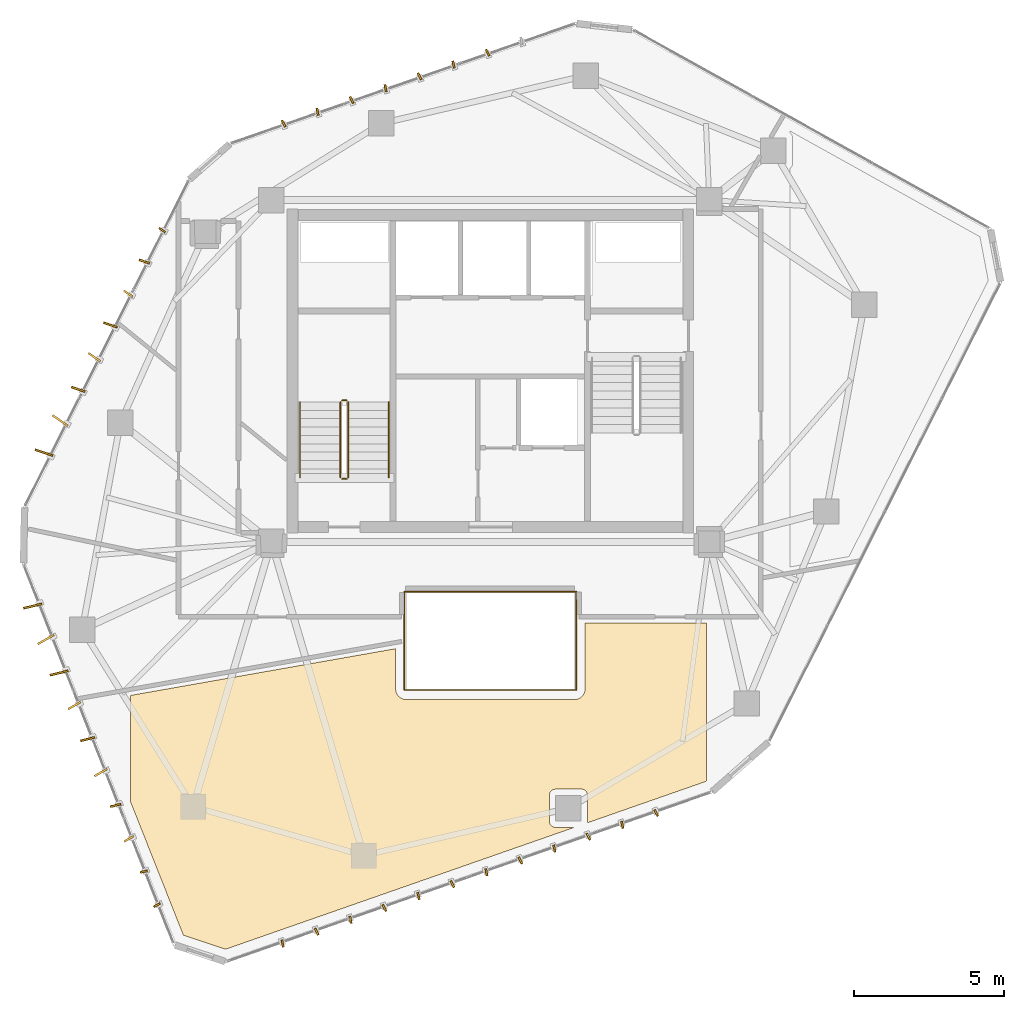
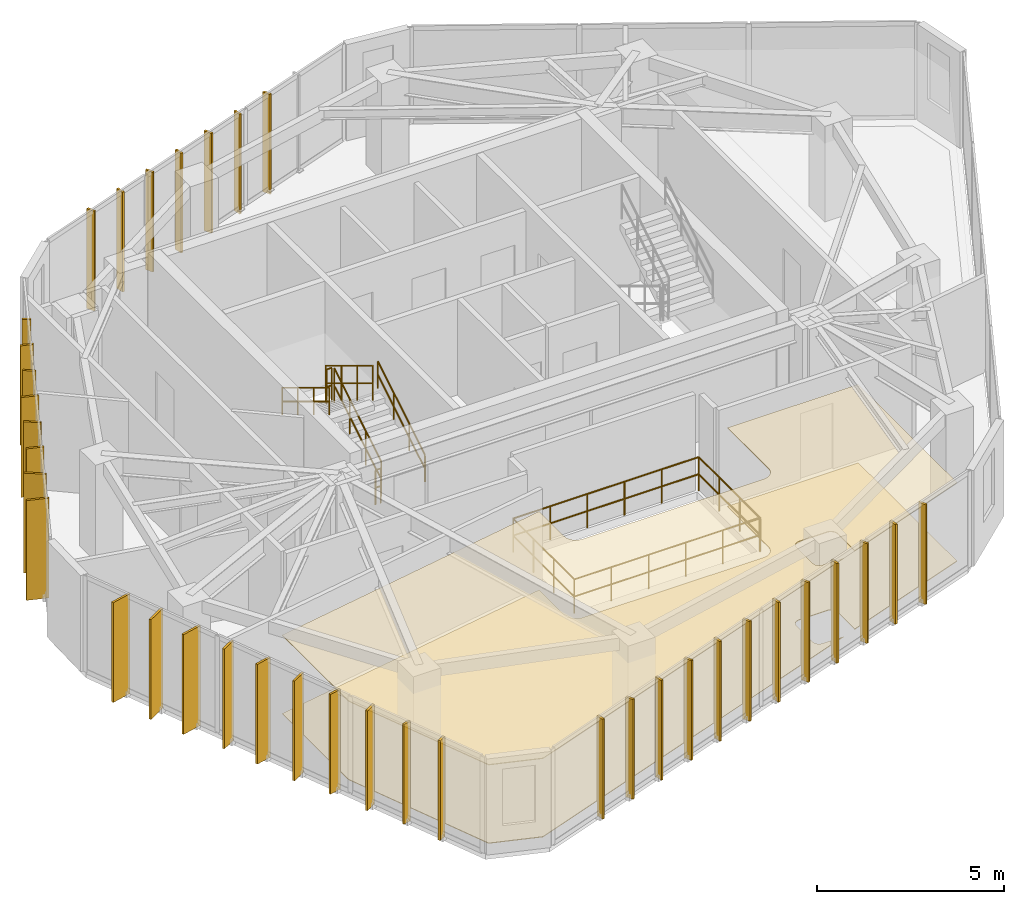
# One storey, part 19 of 20: 37 shading devices, 10 railings, 2 coverings.
"""IFC4 building model written with IfcOpenShell, lengths in metres."""

from ifc_helpers import new_model, si_unit, direction, frame, origin, origin_2d, place, context, subcontext, project, spatial, polyline, rectangle, circle, outline, extrude, source, transform, mapped, material, layer, layer_set, type_object, type_shapes, element, save


model = new_model("IFC4")

# Units and contexts
model_context = context("Model", 3, precision=1e-05, world=origin(), true_north=direction((0.0, 1.0)))
body_context = subcontext(model_context, "Body", "Model", "MODEL_VIEW")
ifc_project = project(units=[si_unit("LENGTHUNIT", "METRE"), si_unit("AREAUNIT", "SQUARE_METRE"), si_unit("VOLUMEUNIT", "CUBIC_METRE"), si_unit("PLANEANGLEUNIT", "RADIAN"), si_unit("MASSUNIT", "GRAM", prefix="KILO")], contexts=[model_context])

# Site, building, storey
site_placement = place(None, origin())
site = spatial("IfcSite", under=ifc_project, at=site_placement, CompositionType="ELEMENT")
building_placement = place(site_placement, origin())
building = spatial("IfcBuilding", under=site, at=building_placement, Name="Talar Marvaseh", CompositionType="ELEMENT")
storey_placement = place(building_placement, frame((0.0, 0.0, 285.0)))
storey = spatial("IfcBuildingStorey", under=building, at=storey_placement, Name="L76", CompositionType="ELEMENT", Elevation=285.0)

# Railings
ifc_material_1 = material(Name="Stainless Steel Grade 316", Category="steel")
railing_type_1 = type_object("IfcRailingType", Name="Brushed Stainless Wall Pitch Handrail 900", PredefinedType="HANDRAIL", material=ifc_material_1)
railing_1_placement = place(storey_placement, frame((22.610107421875, 27.64990234375, 0.169921875)))
element("IfcRailing", 1, at=railing_1_placement, inside=storey, type_object=railing_type_1, Name="L76 ST-1 stair handrail 1", PredefinedType="HANDRAIL", context=body_context, shape_type="SweptSolid", body=[
    extrude(circle(Radius=0.02392578125, at=origin_2d()), frame((0.0, 0.0, 0.8759765625), z_axis=(0.0, 0.85478489116, 0.518982456201), x_axis=(-1.0, 0.0, 0.0)), (0.0, 0.0, 1.0), 2.9482421875),
    extrude(circle(Radius=0.02392578125, at=origin_2d()), frame((0.0, 0.0, 0.42578125), z_axis=(0.0, 0.85478489116, 0.518982456201), x_axis=(-1.0, 0.0, 0.0)), (0.0, 0.0, 1.0), 2.9482421875),
    extrude(circle(Radius=0.02099609375, at=origin_2d()), origin(), (0.0, 0.0, 1.0), 0.851806640625),
    extrude(circle(Radius=0.02099609375, at=origin_2d()), frame((0.0, 0.840087890625, 0.510009765625)), (0.0, 0.0, 1.0), 0.851806640625),
    extrude(circle(Radius=0.02099609375, at=origin_2d()), frame((0.0, 1.679931640625, 1.02001953125)), (0.0, 0.0, 1.0), 0.851806640625),
    extrude(circle(Radius=0.02099609375, at=origin_2d()), frame((0.0, 2.52001953125, 1.530029296875)), (0.0, 0.0, 1.0), 0.851806640625),
])
railing_2_placement = place(storey_placement, frame((19.64990234375, 30.169921875, 1.8701171875)))
element("IfcRailing", 2, at=railing_2_placement, inside=storey, type_object=railing_type_1, Name="L76 ST-1 stair handrail 2", PredefinedType="HANDRAIL", context=body_context, shape_type="SweptSolid", body=[
    extrude(circle(Radius=0.02392578125, at=origin_2d()), frame((0.0, 0.0, 0.8759765625), z_axis=(0.0, -0.854821627497, 0.518921945155), x_axis=(1.0, 0.0, 0.0)), (0.0, 0.0, 1.0), 2.947998046875),
    extrude(circle(Radius=0.02392578125, at=origin_2d()), frame((0.0, 0.0, 0.42578125), z_axis=(0.0, -0.854821627497, 0.518921945155), x_axis=(1.0, 0.0, 0.0)), (0.0, 0.0, 1.0), 2.947998046875),
    extrude(circle(Radius=0.02099609375, at=origin_2d()), origin(), (0.0, 0.0, 1.0), 0.851806640625),
    extrude(circle(Radius=0.02099609375, at=origin_2d()), frame((0.0, -0.840087890625, 0.510009765625)), (0.0, 0.0, 1.0), 0.851806640625),
    extrude(circle(Radius=0.02099609375, at=origin_2d()), frame((0.0, -1.679931640625, 1.019775390625)), (0.0, 0.0, 1.0), 0.851806640625),
    extrude(circle(Radius=0.02099609375, at=origin_2d()), frame((0.0, -2.52001953125, 1.52978515625)), (0.0, 0.0, 1.0), 0.851806640625),
])
ifc_material_2 = material(Name="Tempered Clear Glass", Category="glass")
railing_type_2 = type_object("IfcRailingType", Name="Interior Atrium Edge Balustrade 1120", PredefinedType="BALUSTRADE", material=ifc_material_2)
railing_3_placement = place(storey_placement, frame((23.130615234375, 20.560302734375, 0.0)))
element("IfcRailing", 3, at=railing_3_placement, inside=storey, type_object=railing_type_2, Name="L76 Internal Daylight Atrium Balustrade 1", PredefinedType="BALUSTRADE", context=body_context, shape_type="SweptSolid", body=[
    extrude(circle(Radius=0.02392578125, at=origin_2d()), frame((0.0, 0.0, 1.09619140625), z_axis=(1.0, 0.0, 0.0), x_axis=(0.0, 1.0, 0.0)), (0.0, 0.0, 1.0), 5.73876953125),
    extrude(circle(Radius=0.02392578125, at=origin_2d()), frame((0.0, 0.0, 0.5361328125), z_axis=(1.0, 0.0, 0.0), x_axis=(0.0, 1.0, 0.0)), (0.0, 0.0, 1.0), 5.73876953125),
    extrude(circle(Radius=0.02099609375, at=origin_2d()), origin(), (0.0, 0.0, 1.0), 1.072021484375),
    extrude(circle(Radius=0.02099609375, at=origin_2d()), frame((1.147705078125, 0.0, 0.0)), (0.0, 0.0, 1.0), 1.072021484375),
    extrude(circle(Radius=0.02099609375, at=origin_2d()), frame((2.29541015625, 0.0, 0.0)), (0.0, 0.0, 1.0), 1.072021484375),
    extrude(circle(Radius=0.02099609375, at=origin_2d()), frame((3.443359375, 0.0, 0.0)), (0.0, 0.0, 1.0), 1.072021484375),
    extrude(circle(Radius=0.02099609375, at=origin_2d()), frame((4.591064453125, 0.0, 0.0)), (0.0, 0.0, 1.0), 1.072021484375),
    extrude(circle(Radius=0.02099609375, at=origin_2d()), frame((5.73876953125, 0.0, 0.0)), (0.0, 0.0, 1.0), 1.072021484375),
])
railing_4_placement = place(storey_placement, frame((28.869384765625, 20.560302734375, 0.0)))
element("IfcRailing", 4, at=railing_4_placement, inside=storey, type_object=railing_type_2, Name="L76 Internal Daylight Atrium Balustrade 2", PredefinedType="BALUSTRADE", context=body_context, shape_type="SweptSolid", body=[
    extrude(circle(Radius=0.02392578125, at=origin_2d()), frame((0.0, 0.0, 1.09619140625), z_axis=(0.0, 1.0, 0.0), x_axis=(-1.0, 0.0, 0.0)), (0.0, 0.0, 1.0), 3.279296875),
    extrude(circle(Radius=0.02392578125, at=origin_2d()), frame((0.0, 0.0, 0.5361328125), z_axis=(0.0, 1.0, 0.0), x_axis=(-1.0, 0.0, 0.0)), (0.0, 0.0, 1.0), 3.279296875),
    extrude(circle(Radius=0.02099609375, at=origin_2d()), origin(), (0.0, 0.0, 1.0), 1.072021484375),
    extrude(circle(Radius=0.02099609375, at=origin_2d()), frame((0.0, 1.093017578125, 0.0)), (0.0, 0.0, 1.0), 1.072021484375),
    extrude(circle(Radius=0.02099609375, at=origin_2d()), frame((0.0, 2.186279296875, 0.0)), (0.0, 0.0, 1.0), 1.072021484375),
    extrude(circle(Radius=0.02099609375, at=origin_2d()), frame((0.0, 3.279296875, 0.0)), (0.0, 0.0, 1.0), 1.072021484375),
])
railing_5_placement = place(storey_placement, frame((28.869384765625, 23.839599609375, 0.0)))
element("IfcRailing", 5, at=railing_5_placement, inside=storey, type_object=railing_type_2, Name="L76 Internal Daylight Atrium Balustrade 3", PredefinedType="BALUSTRADE", context=body_context, shape_type="SweptSolid", body=[
    extrude(circle(Radius=0.02392578125, at=origin_2d()), frame((0.0, 0.0, 1.09619140625), z_axis=(-1.0, 0.0, 0.0), x_axis=(0.0, -1.0, 0.0)), (0.0, 0.0, 1.0), 5.73876953125),
    extrude(circle(Radius=0.02392578125, at=origin_2d()), frame((0.0, 0.0, 0.5361328125), z_axis=(-1.0, 0.0, 0.0), x_axis=(0.0, -1.0, 0.0)), (0.0, 0.0, 1.0), 5.73876953125),
    extrude(circle(Radius=0.02099609375, at=origin_2d()), origin(), (0.0, 0.0, 1.0), 1.072021484375),
    extrude(circle(Radius=0.02099609375, at=origin_2d()), frame((-1.147705078125, 0.0, 0.0)), (0.0, 0.0, 1.0), 1.072021484375),
    extrude(circle(Radius=0.02099609375, at=origin_2d()), frame((-2.29541015625, 0.0, 0.0)), (0.0, 0.0, 1.0), 1.072021484375),
    extrude(circle(Radius=0.02099609375, at=origin_2d()), frame((-3.443359375, 0.0, 0.0)), (0.0, 0.0, 1.0), 1.072021484375),
    extrude(circle(Radius=0.02099609375, at=origin_2d()), frame((-4.591064453125, 0.0, 0.0)), (0.0, 0.0, 1.0), 1.072021484375),
    extrude(circle(Radius=0.02099609375, at=origin_2d()), frame((-5.73876953125, 0.0, 0.0)), (0.0, 0.0, 1.0), 1.072021484375),
])
railing_6_placement = place(storey_placement, frame((23.130615234375, 23.839599609375, 0.0)))
element("IfcRailing", 6, at=railing_6_placement, inside=storey, type_object=railing_type_2, Name="L76 Internal Daylight Atrium Balustrade 4", PredefinedType="BALUSTRADE", context=body_context, shape_type="SweptSolid", body=[
    extrude(circle(Radius=0.02392578125, at=origin_2d()), frame((0.0, 0.0, 1.09619140625), z_axis=(0.0, -1.0, 0.0), x_axis=(1.0, 0.0, 0.0)), (0.0, 0.0, 1.0), 3.279296875),
    extrude(circle(Radius=0.02392578125, at=origin_2d()), frame((0.0, 0.0, 0.5361328125), z_axis=(0.0, -1.0, 0.0), x_axis=(1.0, 0.0, 0.0)), (0.0, 0.0, 1.0), 3.279296875),
    extrude(circle(Radius=0.02099609375, at=origin_2d()), origin(), (0.0, 0.0, 1.0), 1.072021484375),
    extrude(circle(Radius=0.02099609375, at=origin_2d()), frame((0.0, -1.093017578125, 0.0)), (0.0, 0.0, 1.0), 1.072021484375),
    extrude(circle(Radius=0.02099609375, at=origin_2d()), frame((0.0, -2.186279296875, 0.0)), (0.0, 0.0, 1.0), 1.072021484375),
    extrude(circle(Radius=0.02099609375, at=origin_2d()), frame((0.0, -3.279296875, 0.0)), (0.0, 0.0, 1.0), 1.072021484375),
])
railing_type_3 = type_object("IfcRailingType", Name="Painted Steel Core Stair Well Guardrail 1150", PredefinedType="GUARDRAIL", material=ifc_material_1)
railing_7_placement = place(storey_placement, frame((21.260009765625, 27.64990234375, 0.169921875)))
element("IfcRailing", 7, at=railing_7_placement, inside=storey, type_object=railing_type_3, Name="L76 ST-1 stair guard 1", PredefinedType="GUARDRAIL", context=body_context, shape_type="SweptSolid", body=[
    extrude(circle(Radius=0.02392578125, at=origin_2d()), frame((0.0, 0.0, 1.1259765625), z_axis=(0.0, 0.85478489116, 0.518982456201), x_axis=(-1.0, 0.0, 0.0)), (0.0, 0.0, 1.0), 2.9482421875),
    extrude(circle(Radius=0.02392578125, at=origin_2d()), frame((0.0, 0.0, 0.55078125), z_axis=(0.0, 0.85478489116, 0.518982456201), x_axis=(-1.0, 0.0, 0.0)), (0.0, 0.0, 1.0), 2.9482421875),
    extrude(circle(Radius=0.02099609375, at=origin_2d()), origin(), (0.0, 0.0, 1.0), 1.101806640625),
    extrude(circle(Radius=0.02099609375, at=origin_2d()), frame((0.0, 0.840087890625, 0.510009765625)), (0.0, 0.0, 1.0), 1.101806640625),
    extrude(circle(Radius=0.02099609375, at=origin_2d()), frame((0.0, 1.679931640625, 1.02001953125)), (0.0, 0.0, 1.0), 1.101806640625),
    extrude(circle(Radius=0.02099609375, at=origin_2d()), frame((0.0, 2.52001953125, 1.530029296875)), (0.0, 0.0, 1.0), 1.101806640625),
])
railing_8_placement = place(storey_placement, frame((21.2099609375, 30.219970703125, 1.699951171875)))
element("IfcRailing", 8, at=railing_8_placement, inside=storey, type_object=railing_type_3, Name="L76 ST-1 stair guard 2", PredefinedType="GUARDRAIL", context=body_context, shape_type="SweptSolid", body=[
    extrude(circle(Radius=0.02392578125, at=origin_2d()), frame((0.0, 0.0, 1.1259765625), z_axis=(-1.0, 0.0, 0.0), x_axis=(0.0, -1.0, 0.0)), (0.0, 0.0, 1.0), 0.159912109375),
    extrude(circle(Radius=0.02392578125, at=origin_2d()), frame((0.0, 0.0, 0.55078125), z_axis=(-1.0, 0.0, 0.0), x_axis=(0.0, -1.0, 0.0)), (0.0, 0.0, 1.0), 0.159912109375),
    extrude(circle(Radius=0.02099609375, at=origin_2d()), origin(), (0.0, 0.0, 1.0), 1.101806640625),
    extrude(circle(Radius=0.02099609375, at=origin_2d()), frame((-0.159912109375, 0.0, 0.0)), (0.0, 0.0, 1.0), 1.101806640625),
])
railing_9_placement = place(storey_placement, frame((21.0, 30.169921875, 1.8701171875)))
element("IfcRailing", 9, at=railing_9_placement, inside=storey, type_object=railing_type_3, Name="L76 ST-1 stair guard 3", PredefinedType="GUARDRAIL", context=body_context, shape_type="SweptSolid", body=[
    extrude(circle(Radius=0.02392578125, at=origin_2d()), frame((0.0, 0.0, 1.1259765625), z_axis=(0.0, -0.854821627497, 0.518921945155), x_axis=(1.0, 0.0, 0.0)), (0.0, 0.0, 1.0), 2.947998046875),
    extrude(circle(Radius=0.02392578125, at=origin_2d()), frame((0.0, 0.0, 0.55078125), z_axis=(0.0, -0.854821627497, 0.518921945155), x_axis=(1.0, 0.0, 0.0)), (0.0, 0.0, 1.0), 2.947998046875),
    extrude(circle(Radius=0.02099609375, at=origin_2d()), origin(), (0.0, 0.0, 1.0), 1.101806640625),
    extrude(circle(Radius=0.02099609375, at=origin_2d()), frame((0.0, -0.840087890625, 0.510009765625)), (0.0, 0.0, 1.0), 1.101806640625),
    extrude(circle(Radius=0.02099609375, at=origin_2d()), frame((0.0, -1.679931640625, 1.019775390625)), (0.0, 0.0, 1.0), 1.101806640625),
    extrude(circle(Radius=0.02099609375, at=origin_2d()), frame((0.0, -2.52001953125, 1.52978515625)), (0.0, 0.0, 1.0), 1.101806640625),
])
railing_10_placement = place(storey_placement, frame((21.2099609375, 27.60009765625, 0.0)))
element("IfcRailing", 10, at=railing_10_placement, inside=storey, type_object=railing_type_3, Name="L76 ST-1 stair guard 4", PredefinedType="GUARDRAIL", context=body_context, shape_type="SweptSolid", body=[
    extrude(circle(Radius=0.02392578125, at=origin_2d()), frame((0.0, 0.0, 1.1259765625), z_axis=(-1.0, 0.0, 0.0), x_axis=(0.0, -1.0, 0.0)), (0.0, 0.0, 1.0), 0.159912109375),
    extrude(circle(Radius=0.02392578125, at=origin_2d()), frame((0.0, 0.0, 0.55078125), z_axis=(-1.0, 0.0, 0.0), x_axis=(0.0, -1.0, 0.0)), (0.0, 0.0, 1.0), 0.159912109375),
    extrude(circle(Radius=0.02099609375, at=origin_2d()), origin(), (0.0, 0.0, 1.0), 1.101806640625),
    extrude(circle(Radius=0.02099609375, at=origin_2d()), frame((-0.159912109375, 0.0, 0.0)), (0.0, 0.0, 1.0), 1.101806640625),
])

# Coverings
ifc_material_3 = material(Name="Mineral Fibre Acoustic Ceiling")
ifc_layer_1 = layer(ifc_material_3, 0.02490234375)
ifc_layer_set_1 = layer_set([ifc_layer_1], Name="Mineral Fibre Acoustic Ceiling")
covering_type_1 = type_object("IfcCoveringType", Name="Perforated Mineral Fibre Acoustic Suspended Ceiling", PredefinedType="CEILING", material=ifc_layer_set_1)
covering_1_placement = place(storey_placement, frame((0.0, 0.0, 2.56005859375)))
element("IfcCovering", 11, at=covering_1_placement, inside=storey, type_object=covering_type_1, Name="L76 Curatorial Staff Control Room Acoustic Ceiling", PredefinedType="CEILING", context=body_context, shape_type="SweptSolid", body=[
    extrude(outline(polyline([(22.840087890625, 20.60009765625), (22.840576171875, 20.585205078125), (22.84228515625, 20.570556640625), (22.84912109375, 20.524169921875), (22.852783203125, 20.5048828125), (22.858642578125, 20.486083984375), (22.8662109375, 20.468017578125), (22.87548828125, 20.45068359375), (22.915283203125, 20.384033203125), (22.92626953125, 20.36767578125), (22.938720703125, 20.3525390625), (22.95263671875, 20.338623046875), (22.9677734375, 20.326416015625), (22.98388671875, 20.3154296875), (23.05078125, 20.275390625), (23.068115234375, 20.26611328125), (23.086181640625, 20.258544921875), (23.10498046875, 20.2529296875), (23.124267578125, 20.2490234375), (23.170654296875, 20.2421875), (23.185302734375, 20.240478515625), (23.199951171875, 20.239990234375), (28.815673828125, 20.24072265625), (28.835205078125, 20.24169921875), (28.854736328125, 20.24462890625), (28.873779296875, 20.24951171875), (28.933349609375, 20.267578125), (28.9501953125, 20.2734375), (28.96630859375, 20.28076171875), (28.981689453125, 20.289306640625), (28.99609375, 20.29931640625), (29.009765625, 20.310791015625), (29.0673828125, 20.36279296875), (29.081298828125, 20.376708984375), (29.093505859375, 20.391845703125), (29.1044921875, 20.408203125), (29.11376953125, 20.425537109375), (29.121337890625, 20.443603515625), (29.1474609375, 20.516845703125), (29.154052734375, 20.538818359375), (29.157958984375, 20.561279296875), (29.1591796875, 20.584228515625), (29.159912109375, 22.800048828125), (33.199951171875, 22.800048828125), (33.199951171875, 17.52490234375), (33.183837890625, 17.5107421875), (29.23388671875, 16.130615234375), (29.236572265625, 16.1416015625), (29.239501953125, 16.160888671875), (29.240478515625, 16.180419921875), (29.244873046875, 17.04248046875), (29.244140625, 17.06103515625), (29.24169921875, 17.07958984375), (29.2373046875, 17.097900390625), (29.2314453125, 17.115478515625), (29.22412109375, 17.132568359375), (29.21484375, 17.14892578125), (29.204345703125, 17.164306640625), (29.1923828125, 17.1787109375), (29.17919921875, 17.191650390625), (29.164306640625, 17.205078125), (29.14990234375, 17.217041015625), (29.134765625, 17.227294921875), (29.118408203125, 17.236328125), (29.1015625, 17.243896484375), (29.083984375, 17.24951171875), (29.06591796875, 17.25390625), (29.047607421875, 17.256103515625), (29.029052734375, 17.257080078125), (28.16845703125, 17.252685546875), (28.148681640625, 17.25146484375), (28.12939453125, 17.24853515625), (28.110595703125, 17.24365234375), (28.09228515625, 17.237060546875), (28.074462890625, 17.228759765625), (28.057861328125, 17.218505859375), (28.0419921875, 17.206787109375), (28.027587890625, 17.193603515625), (28.014404296875, 17.17919921875), (28.0029296875, 17.163330078125), (27.992919921875, 17.146484375), (27.984619140625, 17.12890625), (27.97802734375, 17.110595703125), (27.97314453125, 17.091552734375), (27.970458984375, 17.072021484375), (27.969482421875, 17.052490234375), (27.969482421875, 16.181396484375), (27.970458984375, 16.161865234375), (27.97314453125, 16.142333984375), (27.97802734375, 16.123291015625), (27.984619140625, 16.10498046875), (27.992919921875, 16.087158203125), (28.003173828125, 16.0703125), (28.014892578125, 16.054443359375), (28.028076171875, 16.0400390625), (28.04248046875, 16.02685546875), (28.058349609375, 16.01513671875), (28.0751953125, 16.0048828125), (28.093017578125, 15.99658203125), (28.111328125, 15.989990234375), (28.13037109375, 15.985107421875), (28.14990234375, 15.982421875), (28.16943359375, 15.9814453125), (28.806640625, 15.9814453125), (17.169921875, 11.915771484375), (15.76171875, 12.382080078125), (14.0, 16.83251953125), (14.0, 20.381103515625), (22.840087890625, 21.939697265625), (22.840087890625, 20.60009765625)])), origin(), (0.0, 0.0, 1.0), 0.02490234375),
])
ifc_material_4 = material(Name="Porcelain Stoneware Tile", Category="masonry")
ifc_layer_2 = layer(ifc_material_4, 0.02001953125)
ifc_layer_set_2 = layer_set([ifc_layer_2], Name="Porcelain Stoneware Tile")
covering_type_2 = type_object("IfcCoveringType", Name="Polished Porcelain Stoneware Gallery Flooring", PredefinedType="FLOORING", material=ifc_layer_set_2)
covering_2_placement = place(storey_placement, origin())
element("IfcCovering", 12, at=covering_2_placement, inside=storey, type_object=covering_type_2, Name="L76 Curatorial Staff Control Room Flooring", PredefinedType="FLOORING", context=body_context, shape_type="SweptSolid", body=[
    extrude(outline(polyline([(22.840087890625, 20.60009765625), (22.840576171875, 20.585205078125), (22.84228515625, 20.570556640625), (22.84912109375, 20.524169921875), (22.852783203125, 20.5048828125), (22.858642578125, 20.486083984375), (22.8662109375, 20.468017578125), (22.87548828125, 20.45068359375), (22.915283203125, 20.384033203125), (22.92626953125, 20.36767578125), (22.938720703125, 20.3525390625), (22.95263671875, 20.338623046875), (22.9677734375, 20.326416015625), (22.98388671875, 20.3154296875), (23.05078125, 20.275390625), (23.068115234375, 20.26611328125), (23.086181640625, 20.258544921875), (23.10498046875, 20.2529296875), (23.124267578125, 20.2490234375), (23.170654296875, 20.2421875), (23.185302734375, 20.240478515625), (23.199951171875, 20.239990234375), (28.815673828125, 20.24072265625), (28.835205078125, 20.24169921875), (28.854736328125, 20.24462890625), (28.873779296875, 20.24951171875), (28.933349609375, 20.267578125), (28.9501953125, 20.2734375), (28.96630859375, 20.28076171875), (28.981689453125, 20.289306640625), (28.99609375, 20.29931640625), (29.009765625, 20.310791015625), (29.0673828125, 20.36279296875), (29.081298828125, 20.376708984375), (29.093505859375, 20.391845703125), (29.1044921875, 20.408203125), (29.11376953125, 20.425537109375), (29.121337890625, 20.443603515625), (29.1474609375, 20.516845703125), (29.154052734375, 20.538818359375), (29.157958984375, 20.561279296875), (29.1591796875, 20.584228515625), (29.159912109375, 22.800048828125), (33.199951171875, 22.800048828125), (33.199951171875, 17.52490234375), (33.183837890625, 17.5107421875), (29.23388671875, 16.130615234375), (29.236572265625, 16.1416015625), (29.239501953125, 16.160888671875), (29.240478515625, 16.180419921875), (29.244873046875, 17.04248046875), (29.244140625, 17.06103515625), (29.24169921875, 17.07958984375), (29.2373046875, 17.097900390625), (29.2314453125, 17.115478515625), (29.22412109375, 17.132568359375), (29.21484375, 17.14892578125), (29.204345703125, 17.164306640625), (29.1923828125, 17.1787109375), (29.17919921875, 17.191650390625), (29.164306640625, 17.205078125), (29.14990234375, 17.217041015625), (29.134765625, 17.227294921875), (29.118408203125, 17.236328125), (29.1015625, 17.243896484375), (29.083984375, 17.24951171875), (29.06591796875, 17.25390625), (29.047607421875, 17.256103515625), (29.029052734375, 17.257080078125), (28.16845703125, 17.252685546875), (28.148681640625, 17.25146484375), (28.12939453125, 17.24853515625), (28.110595703125, 17.24365234375), (28.09228515625, 17.237060546875), (28.074462890625, 17.228759765625), (28.057861328125, 17.218505859375), (28.0419921875, 17.206787109375), (28.027587890625, 17.193603515625), (28.014404296875, 17.17919921875), (28.0029296875, 17.163330078125), (27.992919921875, 17.146484375), (27.984619140625, 17.12890625), (27.97802734375, 17.110595703125), (27.97314453125, 17.091552734375), (27.970458984375, 17.072021484375), (27.969482421875, 17.052490234375), (27.969482421875, 16.181396484375), (27.970458984375, 16.161865234375), (27.97314453125, 16.142333984375), (27.97802734375, 16.123291015625), (27.984619140625, 16.10498046875), (27.992919921875, 16.087158203125), (28.003173828125, 16.0703125), (28.014892578125, 16.054443359375), (28.028076171875, 16.0400390625), (28.04248046875, 16.02685546875), (28.058349609375, 16.01513671875), (28.0751953125, 16.0048828125), (28.093017578125, 15.99658203125), (28.111328125, 15.989990234375), (28.13037109375, 15.985107421875), (28.14990234375, 15.982421875), (28.16943359375, 15.9814453125), (28.806640625, 15.9814453125), (17.169921875, 11.915771484375), (15.76171875, 12.382080078125), (14.0, 16.83251953125), (14.0, 20.381103515625), (22.840087890625, 21.939697265625), (22.840087890625, 20.60009765625)])), origin(), (0.0, 0.0, 1.0), 0.02001953125),
])

# Shading devices
ifc_material_5 = material(Name="Anodised Champagne Bronze Aluminium", Category="aluminium")
ifc_layer_3 = layer(ifc_material_5, 0.06494140625)
ifc_layer_set_3 = layer_set([ifc_layer_3], Name="Anodised Champagne Bronze Aluminium")
shading_device_type_1 = type_object("IfcShadingDeviceType", Name="Sawtooth Champagne Bronze Vertical Fin 240", PredefinedType="USERDEFINED", material=ifc_layer_set_3)
shared_shape_1 = source(origin(), body_context, "Body", "SweptSolid", [
    extrude(rectangle(XDim=0.239990234375, YDim=0.06494140625, at=origin_2d()), origin(), (0.0, 0.0, 1.0), 3.260009765625),
])
type_shapes(shading_device_type_1, [shared_shape_1])
for number, where, z_axis, x_axis, name in (
    (13, (14.884765625, 13.388427734375, -0.1201171875), (0.0, 0.0, 1.0), (-0.869494929505, -0.493941866584, 0.0), "L76 Sawtooth Vertical Solar Fin"),
    (14, (14.443115234375, 14.504150390625, -0.1201171875), (0.0, 0.0, 1.0), (-0.971961000579, -0.235142113103, 0.0), "L76 Sawtooth Vertical Solar Fin"),
    (15, (15.0546875, 35.89599609375, -0.1201171875), (0.0, 0.0, 1.0), (-0.82234270698, 0.568992506345, 0.0), "L76 Sawtooth Vertical Solar Fin"),
    (16, (19.1044921875, 39.447509765625, -0.1201171875), (0.0, 0.0, 1.0), (-0.456787434334, 0.889575876378, 0.0), "L76 Sawtooth Vertical Solar Fin"),
    (17, (20.23779296875, 39.841796875, -0.1201171875), (0.0, 0.0, 1.0), (-0.193891921448, 0.981022896164, 0.0), "L76 Sawtooth Vertical Solar Fin"),
    (18, (21.371337890625, 40.236083984375, -0.1201171875), (0.0, 0.0, 1.0), (-0.456787434334, 0.889575876378, 0.0), "L76 Sawtooth Vertical Solar Fin"),
    (19, (22.504638671875, 40.63037109375, -0.1201171875), (0.0, 0.0, 1.0), (-0.193891921448, 0.981022896164, 0.0), "L76 Sawtooth Vertical Solar Fin"),
    (20, (23.637939453125, 41.024658203125, -0.1201171875), (0.0, 0.0, 1.0), (-0.456787434334, 0.889575876378, 0.0), "L76 Sawtooth Vertical Solar Fin"),
    (21, (24.771484375, 41.4189453125, -0.1201171875), (0.0, 0.0, 1.0), (-0.193891921448, 0.981022896164, 0.0), "L76 Sawtooth Vertical Solar Fin"),
    (22, (25.90478515625, 41.813232421875, -0.1201171875), (0.0, 0.0, 1.0), (-0.456787434334, 0.889575876378, 0.0), "L76 Sawtooth Vertical Solar Fin"),
    (23, (31.531005859375, 16.4619140625, -0.1201171875), (0.0, 0.0, 1.0), (0.458029070905, -0.888937213872, 0.0), "L76 Sawtooth Vertical Solar Fin"),
    (24, (30.398193359375, 16.066162109375, -0.1201171875), (0.0, 0.0, 1.0), (0.195261498368, -0.980751215781, 0.0), "L76 Sawtooth Vertical Solar Fin"),
    (25, (29.265380859375, 15.670166015625, -0.1201171875), (0.0, 0.0, 1.0), (0.458029070905, -0.888937213872, 0.0), "L76 Sawtooth Vertical Solar Fin"),
    (26, (28.13232421875, 15.2744140625, -0.1201171875), (0.0, 0.0, 1.0), (0.195261498368, -0.980751215781, 0.0), "L76 Sawtooth Vertical Solar Fin"),
    (27, (26.99951171875, 14.878662109375, -0.1201171875), (0.0, 0.0, 1.0), (0.458029070905, -0.888937213872, 0.0), "L76 Sawtooth Vertical Solar Fin"),
    (28, (25.86669921875, 14.48291015625, -0.1201171875), (0.0, 0.0, 1.0), (0.195261498368, -0.980751215781, 0.0), "L76 Sawtooth Vertical Solar Fin"),
    (29, (24.73388671875, 14.0869140625, -0.1201171875), (0.0, 0.0, 1.0), (0.458029070905, -0.888937213872, 0.0), "L76 Sawtooth Vertical Solar Fin"),
    (30, (23.60107421875, 13.691162109375, -0.1201171875), (0.0, 0.0, 1.0), (0.195261498368, -0.980751215781, 0.0), "L76 Sawtooth Vertical Solar Fin"),
    (31, (22.46826171875, 13.29541015625, -0.1201171875), (0.0, 0.0, 1.0), (0.458029070905, -0.888937213872, 0.0), "L76 Sawtooth Vertical Solar Fin"),
    (32, (21.33544921875, 12.899658203125, -0.1201171875), (0.0, 0.0, 1.0), (0.195261498368, -0.980751215781, 0.0), "L76 Sawtooth Vertical Solar Fin"),
    (33, (20.202392578125, 12.50390625, -0.1201171875), (0.0, 0.0, 1.0), (0.458029070905, -0.888937213872, 0.0), "L76 Sawtooth Vertical Solar Fin"),
    (34, (19.069580078125, 12.10791015625, -0.1201171875), (0.0, 0.0, 1.0), (0.195261498368, -0.980751215781, 0.0), "L76 Sawtooth Vertical Solar Fin"),
):
    element("IfcShadingDevice", number, at=place(storey_placement, frame(where, z_axis=z_axis, x_axis=x_axis)), inside=storey, type_object=shading_device_type_1, Name=name, ObjectType="FIN", PredefinedType="USERDEFINED", context=body_context, shape_type="MappedRepresentation", body=[
        mapped(shared_shape_1, transform((0.0, 0.0, 0.0), x_axis=(1.0, 0.0, 0.0), y_axis=(0.0, 1.0, 0.0), z_axis=(0.0, 0.0, 1.0), scale=1.0)),
    ])
ifc_layer_4 = layer(ifc_material_5, 0.06494140625)
ifc_layer_set_4 = layer_set([ifc_layer_4], Name="Anodised Champagne Bronze Aluminium")
shading_device_type_2 = type_object("IfcShadingDeviceType", Name="Sawtooth Champagne Bronze Vertical Fin 360", PredefinedType="USERDEFINED", material=ifc_layer_set_4)
shared_shape_2 = source(origin(), body_context, "Body", "SweptSolid", [
    extrude(rectangle(XDim=0.360107421875, YDim=0.06494140625, at=origin_2d()), origin(), (0.0, 0.0, 1.0), 3.260009765625),
])
type_shapes(shading_device_type_2, [shared_shape_2])
for number, where, z_axis, x_axis, name in (
    (35, (13.94580078125, 15.597900390625, -0.1201171875), (0.0, 0.0, 1.0), (-0.869494929505, -0.493941866584, 0.0), "L76 Sawtooth Vertical Solar Fin"),
    (36, (13.50390625, 16.713623046875, -0.1201171875), (0.0, 0.0, 1.0), (-0.971961000579, -0.235142113103, 0.0), "L76 Sawtooth Vertical Solar Fin"),
    (37, (13.92333984375, 33.7783203125, -0.1201171875), (0.0, 0.0, 1.0), (-0.82234270698, 0.568992506345, 0.0), "L76 Sawtooth Vertical Solar Fin"),
    (38, (14.462158203125, 34.8505859375, -0.1201171875), (0.0, 0.0, 1.0), (-0.947322135083, 0.320282332298, 0.0), "L76 Sawtooth Vertical Solar Fin"),
):
    element("IfcShadingDevice", number, at=place(storey_placement, frame(where, z_axis=z_axis, x_axis=x_axis)), inside=storey, type_object=shading_device_type_2, Name=name, ObjectType="FIN", PredefinedType="USERDEFINED", context=body_context, shape_type="MappedRepresentation", body=[
        mapped(shared_shape_2, transform((0.0, 0.0, 0.0), x_axis=(1.0, 0.0, 0.0), y_axis=(0.0, 1.0, 0.0), z_axis=(0.0, 0.0, 1.0), scale=1.0)),
    ])
ifc_layer_5 = layer(ifc_material_5, 0.06494140625)
ifc_layer_set_5 = layer_set([ifc_layer_5], Name="Anodised Champagne Bronze Aluminium")
shading_device_type_3 = type_object("IfcShadingDeviceType", Name="Sawtooth Champagne Bronze Vertical Fin 480", PredefinedType="USERDEFINED", material=ifc_layer_set_5)
shared_shape_3 = source(origin(), body_context, "Body", "SweptSolid", [
    extrude(rectangle(XDim=0.47998046875, YDim=0.06494140625, at=origin_2d()), origin(), (0.0, 0.0, 1.0), 3.260009765625),
])
type_shapes(shading_device_type_3, [shared_shape_3])
for number, where, z_axis, x_axis, name in (
    (39, (13.006591796875, 17.807373046875, -0.1201171875), (0.0, 0.0, 1.0), (-0.869494929505, -0.493941866584, 0.0), "L76 Sawtooth Vertical Solar Fin"),
    (40, (12.56494140625, 18.923095703125, -0.1201171875), (0.0, 0.0, 1.0), (-0.971961000579, -0.235142113103, 0.0), "L76 Sawtooth Vertical Solar Fin"),
    (41, (12.123291015625, 20.038818359375, -0.1201171875), (0.0, 0.0, 1.0), (-0.869494929505, -0.493941866584, 0.0), "L76 Sawtooth Vertical Solar Fin"),
    (42, (12.253173828125, 30.588623046875, -0.1201171875), (0.0, 0.0, 1.0), (-0.947322135083, 0.320282332298, 0.0), "L76 Sawtooth Vertical Solar Fin"),
    (43, (12.7919921875, 31.660888671875, -0.1201171875), (0.0, 0.0, 1.0), (-0.82234270698, 0.568992506345, 0.0), "L76 Sawtooth Vertical Solar Fin"),
    (44, (13.330810546875, 32.733154296875, -0.1201171875), (0.0, 0.0, 1.0), (-0.947322135083, 0.320282332298, 0.0), "L76 Sawtooth Vertical Solar Fin"),
):
    element("IfcShadingDevice", number, at=place(storey_placement, frame(where, z_axis=z_axis, x_axis=x_axis)), inside=storey, type_object=shading_device_type_3, Name=name, ObjectType="FIN", PredefinedType="USERDEFINED", context=body_context, shape_type="MappedRepresentation", body=[
        mapped(shared_shape_3, transform((0.0, 0.0, 0.0), x_axis=(1.0, 0.0, 0.0), y_axis=(0.0, 1.0, 0.0), z_axis=(0.0, 0.0, 1.0), scale=1.0)),
    ])
ifc_layer_6 = layer(ifc_material_5, 0.06494140625)
ifc_layer_set_6 = layer_set([ifc_layer_6], Name="Anodised Champagne Bronze Aluminium")
shading_device_type_4 = type_object("IfcShadingDeviceType", Name="Sawtooth Champagne Bronze Vertical Fin 620", PredefinedType="USERDEFINED", material=ifc_layer_set_6)
shared_shape_4 = source(origin(), body_context, "Body", "SweptSolid", [
    extrude(rectangle(XDim=0.6201171875, YDim=0.06494140625, at=origin_2d()), origin(), (0.0, 0.0, 1.0), 3.260009765625),
])
type_shapes(shading_device_type_4, [shared_shape_4])
for number, where, z_axis, x_axis, name in (
    (45, (11.616455078125, 21.12890625, -0.1201171875), (0.0, 0.0, 1.0), (-0.971961000579, -0.235142113103, 0.0), "L76 Sawtooth Vertical Solar Fin"),
    (46, (11.1748046875, 22.24462890625, -0.1201171875), (0.0, 0.0, 1.0), (-0.869494929505, -0.493941866584, 0.0), "L76 Sawtooth Vertical Solar Fin"),
    (47, (10.733154296875, 23.3603515625, -0.1201171875), (0.0, 0.0, 1.0), (-0.971961000579, -0.235142113103, 0.0), "L76 Sawtooth Vertical Solar Fin"),
    (48, (11.113037109375, 28.4755859375, -0.1201171875), (0.0, 0.0, 1.0), (-0.947322135083, 0.320282332298, 0.0), "L76 Sawtooth Vertical Solar Fin"),
    (49, (11.65185546875, 29.5478515625, -0.1201171875), (0.0, 0.0, 1.0), (-0.82234270698, 0.568992506345, 0.0), "L76 Sawtooth Vertical Solar Fin"),
):
    element("IfcShadingDevice", number, at=place(storey_placement, frame(where, z_axis=z_axis, x_axis=x_axis)), inside=storey, type_object=shading_device_type_4, Name=name, ObjectType="FIN", PredefinedType="USERDEFINED", context=body_context, shape_type="MappedRepresentation", body=[
        mapped(shared_shape_4, transform((0.0, 0.0, 0.0), x_axis=(1.0, 0.0, 0.0), y_axis=(0.0, 1.0, 0.0), z_axis=(0.0, 0.0, 1.0), scale=1.0)),
    ])

save(model, "model.ifc")
